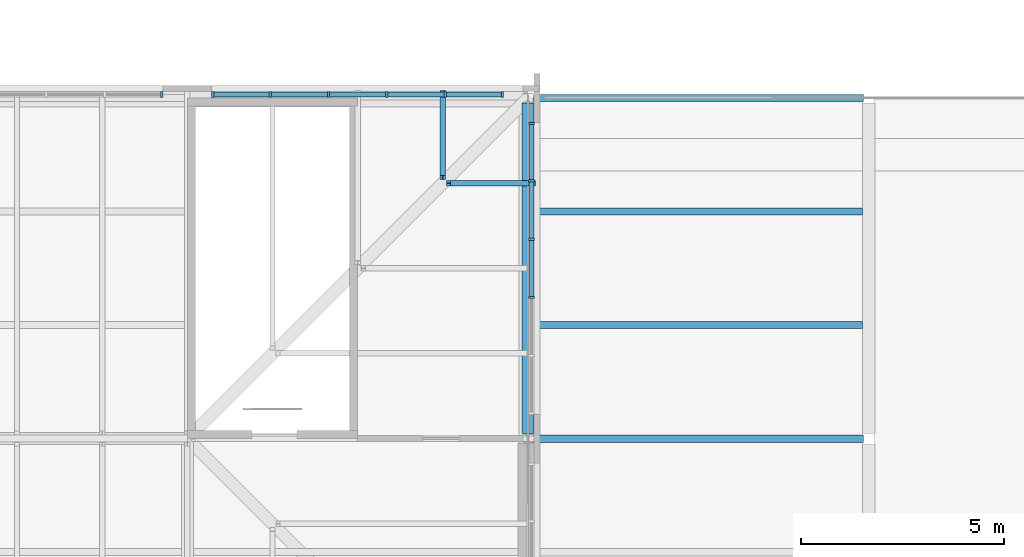
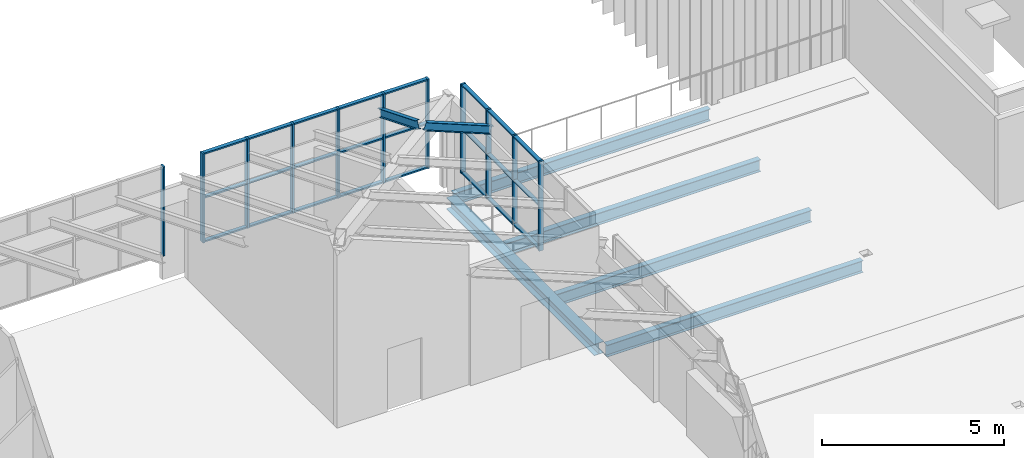
# One storey, part 12 of 126: 37 members, 5 beams, 3 elements without a shape of their own.
"""IFC4 building model written with IfcOpenShell, lengths in metres."""

from ifc_helpers import new_model, si_unit, direction, frame, origin, origin_2d, place, context, subcontext, project, spatial, rectangle, i_section, extrude, material, material_profile, profile_set, type_object, element, aggregate, save


model = new_model("IFC4")

# Units and contexts
model_context = context("Model", 3, precision=1e-05, world=origin(), true_north=direction((0.0, 1.0)))
body_context = subcontext(model_context, "Body", "Model", "MODEL_VIEW")
ifc_project = project(units=[si_unit("LENGTHUNIT", "METRE"), si_unit("AREAUNIT", "SQUARE_METRE"), si_unit("VOLUMEUNIT", "CUBIC_METRE"), si_unit("PLANEANGLEUNIT", "RADIAN"), si_unit("MASSUNIT", "GRAM", prefix="KILO")], contexts=[model_context])

# Site, building, storey
site_placement = place(None, origin())
site = spatial("IfcSite", under=ifc_project, at=site_placement, CompositionType="ELEMENT")
building_placement = place(site_placement, origin())
building = spatial("IfcBuilding", under=site, at=building_placement, Name="Sava Quay Ferry Terminal", CompositionType="ELEMENT")
storey_placement = place(building_placement, frame((0.0, 0.0, 15.0)))
storey = spatial("IfcBuildingStorey", under=building, at=storey_placement, Name="L03", CompositionType="ELEMENT", Elevation=15.0)

# Beams
ifc_material_1 = material(Name="Steel S355", Category="steel")
ifc_material_profile_1 = material_profile(ifc_material_1, i_section(OverallWidth=0.179931640625, OverallDepth=0.39990234375, WebThickness=0.008544921875, FlangeThickness=0.013427734375, at=origin_2d()), Name="IPE 400")
ifc_profile_set_1 = profile_set([ifc_material_profile_1], Name="Steel S355")
beam_type_1 = type_object("IfcBeamType", Name="Beam IPE 400", PredefinedType="BEAM", material=ifc_profile_set_1)
for number, where, z_axis, x_axis, name in (
    (1, (25.330078125, 42.0, -0.35009765625), (1.0, 0.0, 0.0), (0.0, 1.0, 0.0), "Beam L03"),
    (2, (25.330078125, 50.39990234375, -0.35009765625), (1.0, 0.0, 0.0), (0.0, 1.0, 0.0), "Beam L03"),
):
    element("IfcBeam", number, at=place(storey_placement, frame(where, z_axis=z_axis, x_axis=x_axis)), inside=storey, type_object=beam_type_1, Name=name, PredefinedType="BEAM", context=body_context, shape_type="SweptSolid", body=[
        extrude(i_section(OverallWidth=0.179931640625, OverallDepth=0.39990234375, WebThickness=0.008544921875, FlangeThickness=0.013427734375, at=origin_2d()), origin(), (0.0, 0.0, 1.0), 8.139892578125),
    ])
for number, where, z_axis, x_axis, name in (
    (3, (25.35009765625, 44.800048828125, -0.35009765625), (1.0, 0.0, 0.0), (0.0, 1.0, 0.0), "Secondary beam L03"),
    (4, (25.35009765625, 47.60009765625, -0.35009765625), (1.0, 0.0, 0.0), (0.0, 1.0, 0.0), "Secondary beam L03"),
):
    element("IfcBeam", number, at=place(storey_placement, frame(where, z_axis=z_axis, x_axis=x_axis)), inside=storey, type_object=beam_type_1, Name=name, PredefinedType="BEAM", context=body_context, shape_type="SweptSolid", body=[
        extrude(i_section(OverallWidth=0.179931640625, OverallDepth=0.39990234375, WebThickness=0.008544921875, FlangeThickness=0.013427734375, at=origin_2d()), origin(), (0.0, 0.0, 1.0), 8.099853515625),
    ])
ifc_material_2 = material(Name="Steel S355", Category="steel")
ifc_material_profile_2 = material_profile(ifc_material_2, i_section(OverallWidth=0.300048828125, OverallDepth=0.389892578125, WebThickness=0.010986328125, FlangeThickness=0.01904296875, at=origin_2d()), Name="HE 400 A")
ifc_profile_set_2 = profile_set([ifc_material_profile_2], Name="Steel S355")
beam_type_2 = type_object("IfcBeamType", Name="Girder HE 400 A", PredefinedType="BEAM", material=ifc_profile_set_2)
beam_placement = place(storey_placement, frame((25.199951171875, 42.1298828125, -0.344970703125), z_axis=(0.0, 1.0, 0.0), x_axis=(-1.0, 0.0, 0.0)))
element("IfcBeam", 5, at=beam_placement, inside=storey, type_object=beam_type_2, Name="Girder L03", PredefinedType="BEAM", context=body_context, shape_type="SweptSolid", body=[
    extrude(i_section(OverallWidth=0.300048828125, OverallDepth=0.389892578125, WebThickness=0.010986328125, FlangeThickness=0.01904296875, at=origin_2d()), origin(), (0.0, 0.0, 1.0), 8.14013671875),
])

# Curtain wall, members
ifc_material_3 = material(Name="Aluminium and glass curtain wall, double low-e glazed", Category="aluminium")
curtain_wall_type = type_object("IfcCurtainWallType", Name="Curtain wall CW-F flank", PredefinedType="NOTDEFINED", material=ifc_material_3)
curtain_wall_1_placement = place(storey_placement, origin())
curtain_wall_1 = element("IfcCurtainWall", 6, at=curtain_wall_1_placement, inside=storey, type_object=curtain_wall_type, Name="Curtain wall W-PAV-E L03 bay 2", PredefinedType="NOTDEFINED")
ifc_material_4 = material(Name="Aluminium EN AW-6063 T6", Category="aluminium")
ifc_material_profile_3 = material_profile(ifc_material_4, rectangle(XDim=0.14990234375, YDim=0.06005859375, at=origin_2d()), Name="Mullion 60x150 aluminium")
ifc_profile_set_3 = profile_set([ifc_material_profile_3], Name="Aluminium EN AW-6063 T6")
member_type_1 = type_object("IfcMemberType", Name="Mullion 60x150 aluminium", PredefinedType="MULLION", material=ifc_profile_set_3)
member_1_placement = place(storey_placement, frame((25.284912109375, 45.47998046875, 0.89990234375), z_axis=(0.0, 0.0, 1.0), x_axis=(-1.0, 0.0, 0.0)))
member_1 = element("IfcMember", 7, at=member_1_placement, type_object=member_type_1, Name="CW122 mullion 3", PredefinedType="MULLION", context=body_context, shape_type="SweptSolid", body=[
    extrude(rectangle(XDim=0.14990234375, YDim=0.06005859375, at=origin_2d()), origin(), (0.0, 0.0, 1.0), 3.0),
])
member_2_placement = place(storey_placement, frame((25.284912109375, 46.919921875, 0.89990234375), z_axis=(0.0, 0.0, 1.0), x_axis=(-1.0, 0.0, 0.0)))
member_2 = element("IfcMember", 8, at=member_2_placement, type_object=member_type_1, Name="CW122 mullion 4", PredefinedType="MULLION", context=body_context, shape_type="SweptSolid", body=[
    extrude(rectangle(XDim=0.14990234375, YDim=0.06005859375, at=origin_2d()), origin(), (0.0, 0.0, 1.0), 3.0),
])
member_3_placement = place(storey_placement, frame((25.284912109375, 48.360107421875, 0.89990234375), z_axis=(0.0, 0.0, 1.0), x_axis=(-1.0, 0.0, 0.0)))
member_3 = element("IfcMember", 9, at=member_3_placement, type_object=member_type_1, Name="CW122 mullion 5", PredefinedType="MULLION", context=body_context, shape_type="SweptSolid", body=[
    extrude(rectangle(XDim=0.14990234375, YDim=0.06005859375, at=origin_2d()), origin(), (0.0, 0.0, 1.0), 3.0),
])
member_4_placement = place(storey_placement, frame((25.284912109375, 49.77001953125, 0.89990234375), z_axis=(0.0, 0.0, 1.0), x_axis=(-1.0, 0.0, 0.0)))
member_4 = element("IfcMember", 10, at=member_4_placement, type_object=member_type_1, Name="CW122 mullion 6", PredefinedType="MULLION", context=body_context, shape_type="SweptSolid", body=[
    extrude(rectangle(XDim=0.14990234375, YDim=0.06005859375, at=origin_2d()), origin(), (0.0, 0.0, 1.0), 3.0),
])

# Curtain wall, member
curtain_wall_2_placement = place(storey_placement, origin())
curtain_wall_2 = element("IfcCurtainWall", 11, at=curtain_wall_2_placement, inside=storey, type_object=curtain_wall_type, Name="Curtain wall W-PAV-N L03 bay 2", PredefinedType="NOTDEFINED")
member_5_placement = place(storey_placement, frame((16.169921875, 50.485107421875, 0.89990234375), z_axis=(0.0, 0.0, 1.0), x_axis=(0.0, 1.0, 0.0)))
member_5 = element("IfcMember", 12, at=member_5_placement, type_object=member_type_1, Name="CW124 mullion 6", PredefinedType="MULLION", context=body_context, shape_type="SweptSolid", body=[
    extrude(rectangle(XDim=0.14990234375, YDim=0.06005859375, at=origin_2d()), origin(), (0.0, 0.0, 1.0), 3.0),
])
aggregate(curtain_wall_2, [member_5])

# Curtain wall, members
curtain_wall_3_placement = place(storey_placement, origin())
curtain_wall_3 = element("IfcCurtainWall", 13, at=curtain_wall_3_placement, inside=storey, type_object=curtain_wall_type, Name="Curtain wall W-PAV-N L03 bay 3", PredefinedType="NOTDEFINED")
member_6_placement = place(storey_placement, frame((17.429931640625, 50.485107421875, 0.89990234375), z_axis=(0.0, 0.0, 1.0), x_axis=(0.0, 1.0, 0.0)))
member_6 = element("IfcMember", 14, at=member_6_placement, type_object=member_type_1, Name="CW125 mullion 1", PredefinedType="MULLION", context=body_context, shape_type="SweptSolid", body=[
    extrude(rectangle(XDim=0.14990234375, YDim=0.06005859375, at=origin_2d()), origin(), (0.0, 0.0, 1.0), 3.0),
])
member_7_placement = place(storey_placement, frame((18.840087890625, 50.485107421875, 0.89990234375), z_axis=(0.0, 0.0, 1.0), x_axis=(0.0, 1.0, 0.0)))
member_7 = element("IfcMember", 15, at=member_7_placement, type_object=member_type_1, Name="CW125 mullion 2", PredefinedType="MULLION", context=body_context, shape_type="SweptSolid", body=[
    extrude(rectangle(XDim=0.14990234375, YDim=0.06005859375, at=origin_2d()), origin(), (0.0, 0.0, 1.0), 3.0),
])
member_8_placement = place(storey_placement, frame((20.280029296875, 50.485107421875, 0.89990234375), z_axis=(0.0, 0.0, 1.0), x_axis=(0.0, 1.0, 0.0)))
member_8 = element("IfcMember", 16, at=member_8_placement, type_object=member_type_1, Name="CW125 mullion 3", PredefinedType="MULLION", context=body_context, shape_type="SweptSolid", body=[
    extrude(rectangle(XDim=0.14990234375, YDim=0.06005859375, at=origin_2d()), origin(), (0.0, 0.0, 1.0), 3.0),
])
member_9_placement = place(storey_placement, frame((21.719970703125, 50.485107421875, 0.89990234375), z_axis=(0.0, 0.0, 1.0), x_axis=(0.0, 1.0, 0.0)))
member_9 = element("IfcMember", 17, at=member_9_placement, type_object=member_type_1, Name="CW125 mullion 4", PredefinedType="MULLION", context=body_context, shape_type="SweptSolid", body=[
    extrude(rectangle(XDim=0.14990234375, YDim=0.06005859375, at=origin_2d()), origin(), (0.0, 0.0, 1.0), 3.0),
])
member_10_placement = place(storey_placement, frame((23.159912109375, 50.485107421875, 0.89990234375), z_axis=(0.0, 0.0, 1.0), x_axis=(0.0, 1.0, 0.0)))
member_10 = element("IfcMember", 18, at=member_10_placement, type_object=member_type_1, Name="CW125 mullion 5", PredefinedType="MULLION", context=body_context, shape_type="SweptSolid", body=[
    extrude(rectangle(XDim=0.14990234375, YDim=0.06005859375, at=origin_2d()), origin(), (0.0, 0.0, 1.0), 3.0),
])
member_11_placement = place(storey_placement, frame((24.570068359375, 50.485107421875, 0.89990234375), z_axis=(0.0, 0.0, 1.0), x_axis=(0.0, 1.0, 0.0)))
member_11 = element("IfcMember", 19, at=member_11_placement, type_object=member_type_1, Name="CW125 mullion 6", PredefinedType="MULLION", context=body_context, shape_type="SweptSolid", body=[
    extrude(rectangle(XDim=0.14990234375, YDim=0.06005859375, at=origin_2d()), origin(), (0.0, 0.0, 1.0), 3.0),
])

# Members
ifc_material_5 = material(Name="Steel S355", Category="steel")
ifc_material_profile_4 = material_profile(ifc_material_5, i_section(OverallWidth=0.135009765625, OverallDepth=0.27001953125, WebThickness=0.006591796875, FlangeThickness=0.01025390625, at=origin_2d()), Name="IPE 270")
ifc_profile_set_4 = profile_set([ifc_material_profile_4], Name="Steel S355")
member_type_2 = type_object("IfcMemberType", Name="Roof rafter IPE 270", PredefinedType="RAFTER", material=ifc_profile_set_4)
member_12_placement = place(storey_placement, frame((25.336181640625, 48.300048828125, 3.237060546875), z_axis=(-0.927200086712, 0.0, 0.374566414941), x_axis=(0.0, -1.0, 0.0)))
element("IfcMember", 20, at=member_12_placement, inside=storey, type_object=member_type_2, Name="West pavilion rafter RA18", PredefinedType="RAFTER", context=body_context, shape_type="SweptSolid", body=[
    extrude(i_section(OverallWidth=0.135009765625, OverallDepth=0.27001953125, WebThickness=0.006591796875, FlangeThickness=0.01025390625, at=origin_2d()), origin(), (0.0, 0.0, 1.0), 2.264892578125),
])
member_13_placement = place(storey_placement, frame((23.10009765625, 50.5361328125, 3.237060546875), z_axis=(0.0, -0.927184961662, 0.374603853247), x_axis=(1.0, 0.0, 0.0)))
element("IfcMember", 21, at=member_13_placement, inside=storey, type_object=member_type_2, Name="West pavilion rafter RA19", PredefinedType="RAFTER", context=body_context, shape_type="SweptSolid", body=[
    extrude(i_section(OverallWidth=0.135009765625, OverallDepth=0.27001953125, WebThickness=0.006591796875, FlangeThickness=0.01025390625, at=origin_2d()), origin(), (0.0, 0.0, 1.0), 2.2646484375),
])

# Member
ifc_material_6 = material(Name="Aluminium EN AW-6063 T6", Category="aluminium")
ifc_material_profile_5 = material_profile(ifc_material_6, rectangle(XDim=0.1201171875, YDim=0.050048828125, at=origin_2d()), Name="Transom 50x120 aluminium")
ifc_profile_set_5 = profile_set([ifc_material_profile_5], Name="Aluminium EN AW-6063 T6")
member_type_3 = type_object("IfcMemberType", Name="Transom 50x120 aluminium", PredefinedType="USERDEFINED", material=ifc_profile_set_5)
member_14_placement = place(storey_placement, frame((25.284912109375, 45.510009765625, 0.925048828125), z_axis=(0.0, 1.0, 0.0), x_axis=(-1.0, 0.0, 0.0)))
member_14 = element("IfcMember", 22, at=member_14_placement, type_object=member_type_3, Name="CW122 transom 3.1", ObjectType="TRANSOM", PredefinedType="USERDEFINED", context=body_context, shape_type="SweptSolid", body=[
    extrude(rectangle(XDim=0.1201171875, YDim=0.050048828125, at=origin_2d()), origin(), (0.0, 0.0, 1.0), 1.3798828125),
])

member_15_placement = place(storey_placement, frame((25.284912109375, 45.510009765625, 2.39990234375), z_axis=(0.0, 1.0, 0.0), x_axis=(-1.0, 0.0, 0.0)))
member_15 = element("IfcMember", 23, at=member_15_placement, type_object=member_type_3, Name="CW122 transom 3.2", ObjectType="TRANSOM", PredefinedType="USERDEFINED", context=body_context, shape_type="SweptSolid", body=[
    extrude(rectangle(XDim=0.1201171875, YDim=0.050048828125, at=origin_2d()), origin(), (0.0, 0.0, 1.0), 1.3798828125),
])

member_16_placement = place(storey_placement, frame((25.284912109375, 45.510009765625, 3.875), z_axis=(0.0, 1.0, 0.0), x_axis=(-1.0, 0.0, 0.0)))
member_16 = element("IfcMember", 24, at=member_16_placement, type_object=member_type_3, Name="CW122 transom 3.3", ObjectType="TRANSOM", PredefinedType="USERDEFINED", context=body_context, shape_type="SweptSolid", body=[
    extrude(rectangle(XDim=0.1201171875, YDim=0.050048828125, at=origin_2d()), origin(), (0.0, 0.0, 1.0), 1.3798828125),
])

member_17_placement = place(storey_placement, frame((25.284912109375, 46.949951171875, 0.925048828125), z_axis=(0.0, 1.0, 0.0), x_axis=(-1.0, 0.0, 0.0)))
member_17 = element("IfcMember", 25, at=member_17_placement, type_object=member_type_3, Name="CW122 transom 4.1", ObjectType="TRANSOM", PredefinedType="USERDEFINED", context=body_context, shape_type="SweptSolid", body=[
    extrude(rectangle(XDim=0.1201171875, YDim=0.050048828125, at=origin_2d()), origin(), (0.0, 0.0, 1.0), 1.380126953125),
])

member_18_placement = place(storey_placement, frame((25.284912109375, 46.949951171875, 2.39990234375), z_axis=(0.0, 1.0, 0.0), x_axis=(-1.0, 0.0, 0.0)))
member_18 = element("IfcMember", 26, at=member_18_placement, type_object=member_type_3, Name="CW122 transom 4.2", ObjectType="TRANSOM", PredefinedType="USERDEFINED", context=body_context, shape_type="SweptSolid", body=[
    extrude(rectangle(XDim=0.1201171875, YDim=0.050048828125, at=origin_2d()), origin(), (0.0, 0.0, 1.0), 1.380126953125),
])

member_19_placement = place(storey_placement, frame((25.284912109375, 46.949951171875, 3.875), z_axis=(0.0, 1.0, 0.0), x_axis=(-1.0, 0.0, 0.0)))
member_19 = element("IfcMember", 27, at=member_19_placement, type_object=member_type_3, Name="CW122 transom 4.3", ObjectType="TRANSOM", PredefinedType="USERDEFINED", context=body_context, shape_type="SweptSolid", body=[
    extrude(rectangle(XDim=0.1201171875, YDim=0.050048828125, at=origin_2d()), origin(), (0.0, 0.0, 1.0), 1.380126953125),
])

member_20_placement = place(storey_placement, frame((25.284912109375, 48.389892578125, 0.925048828125), z_axis=(0.0, 1.0, 0.0), x_axis=(-1.0, 0.0, 0.0)))
member_20 = element("IfcMember", 28, at=member_20_placement, type_object=member_type_3, Name="CW122 transom 5.1", ObjectType="TRANSOM", PredefinedType="USERDEFINED", context=body_context, shape_type="SweptSolid", body=[
    extrude(rectangle(XDim=0.1201171875, YDim=0.050048828125, at=origin_2d()), origin(), (0.0, 0.0, 1.0), 1.35009765625),
])

member_21_placement = place(storey_placement, frame((25.284912109375, 48.389892578125, 2.39990234375), z_axis=(0.0, 1.0, 0.0), x_axis=(-1.0, 0.0, 0.0)))
member_21 = element("IfcMember", 29, at=member_21_placement, type_object=member_type_3, Name="CW122 transom 5.2", ObjectType="TRANSOM", PredefinedType="USERDEFINED", context=body_context, shape_type="SweptSolid", body=[
    extrude(rectangle(XDim=0.1201171875, YDim=0.050048828125, at=origin_2d()), origin(), (0.0, 0.0, 1.0), 1.35009765625),
])

member_22_placement = place(storey_placement, frame((25.284912109375, 48.389892578125, 3.875), z_axis=(0.0, 1.0, 0.0), x_axis=(-1.0, 0.0, 0.0)))
member_22 = element("IfcMember", 30, at=member_22_placement, type_object=member_type_3, Name="CW122 transom 5.3", ObjectType="TRANSOM", PredefinedType="USERDEFINED", context=body_context, shape_type="SweptSolid", body=[
    extrude(rectangle(XDim=0.1201171875, YDim=0.050048828125, at=origin_2d()), origin(), (0.0, 0.0, 1.0), 1.35009765625),
])

aggregate(curtain_wall_1, [member_1, member_2, member_3, member_4, member_14, member_15, member_16, member_17, member_18, member_19, member_20, member_21, member_22])

member_23_placement = place(storey_placement, frame((17.4599609375, 50.485107421875, 0.925048828125), z_axis=(1.0, 0.0, 0.0), x_axis=(0.0, 1.0, 0.0)))
member_23 = element("IfcMember", 31, at=member_23_placement, type_object=member_type_3, Name="CW125 transom 1.1", ObjectType="TRANSOM", PredefinedType="USERDEFINED", context=body_context, shape_type="SweptSolid", body=[
    extrude(rectangle(XDim=0.1201171875, YDim=0.050048828125, at=origin_2d()), origin(), (0.0, 0.0, 1.0), 1.35009765625),
])

member_24_placement = place(storey_placement, frame((17.4599609375, 50.485107421875, 2.39990234375), z_axis=(1.0, 0.0, 0.0), x_axis=(0.0, 1.0, 0.0)))
member_24 = element("IfcMember", 32, at=member_24_placement, type_object=member_type_3, Name="CW125 transom 1.2", ObjectType="TRANSOM", PredefinedType="USERDEFINED", context=body_context, shape_type="SweptSolid", body=[
    extrude(rectangle(XDim=0.1201171875, YDim=0.050048828125, at=origin_2d()), origin(), (0.0, 0.0, 1.0), 1.35009765625),
])

member_25_placement = place(storey_placement, frame((17.4599609375, 50.485107421875, 3.875), z_axis=(1.0, 0.0, 0.0), x_axis=(0.0, 1.0, 0.0)))
member_25 = element("IfcMember", 33, at=member_25_placement, type_object=member_type_3, Name="CW125 transom 1.3", ObjectType="TRANSOM", PredefinedType="USERDEFINED", context=body_context, shape_type="SweptSolid", body=[
    extrude(rectangle(XDim=0.1201171875, YDim=0.050048828125, at=origin_2d()), origin(), (0.0, 0.0, 1.0), 1.35009765625),
])

member_26_placement = place(storey_placement, frame((18.8701171875, 50.485107421875, 0.925048828125), z_axis=(1.0, 0.0, 0.0), x_axis=(0.0, 1.0, 0.0)))
member_26 = element("IfcMember", 34, at=member_26_placement, type_object=member_type_3, Name="CW125 transom 2.1", ObjectType="TRANSOM", PredefinedType="USERDEFINED", context=body_context, shape_type="SweptSolid", body=[
    extrude(rectangle(XDim=0.1201171875, YDim=0.050048828125, at=origin_2d()), origin(), (0.0, 0.0, 1.0), 1.3798828125),
])

member_27_placement = place(storey_placement, frame((18.8701171875, 50.485107421875, 2.39990234375), z_axis=(1.0, 0.0, 0.0), x_axis=(0.0, 1.0, 0.0)))
member_27 = element("IfcMember", 35, at=member_27_placement, type_object=member_type_3, Name="CW125 transom 2.2", ObjectType="TRANSOM", PredefinedType="USERDEFINED", context=body_context, shape_type="SweptSolid", body=[
    extrude(rectangle(XDim=0.1201171875, YDim=0.050048828125, at=origin_2d()), origin(), (0.0, 0.0, 1.0), 1.3798828125),
])

member_28_placement = place(storey_placement, frame((18.8701171875, 50.485107421875, 3.875), z_axis=(1.0, 0.0, 0.0), x_axis=(0.0, 1.0, 0.0)))
member_28 = element("IfcMember", 36, at=member_28_placement, type_object=member_type_3, Name="CW125 transom 2.3", ObjectType="TRANSOM", PredefinedType="USERDEFINED", context=body_context, shape_type="SweptSolid", body=[
    extrude(rectangle(XDim=0.1201171875, YDim=0.050048828125, at=origin_2d()), origin(), (0.0, 0.0, 1.0), 1.3798828125),
])

member_29_placement = place(storey_placement, frame((20.31005859375, 50.485107421875, 0.925048828125), z_axis=(1.0, 0.0, 0.0), x_axis=(0.0, 1.0, 0.0)))
member_29 = element("IfcMember", 37, at=member_29_placement, type_object=member_type_3, Name="CW125 transom 3.1", ObjectType="TRANSOM", PredefinedType="USERDEFINED", context=body_context, shape_type="SweptSolid", body=[
    extrude(rectangle(XDim=0.1201171875, YDim=0.050048828125, at=origin_2d()), origin(), (0.0, 0.0, 1.0), 1.3798828125),
])

member_30_placement = place(storey_placement, frame((20.31005859375, 50.485107421875, 2.39990234375), z_axis=(1.0, 0.0, 0.0), x_axis=(0.0, 1.0, 0.0)))
member_30 = element("IfcMember", 38, at=member_30_placement, type_object=member_type_3, Name="CW125 transom 3.2", ObjectType="TRANSOM", PredefinedType="USERDEFINED", context=body_context, shape_type="SweptSolid", body=[
    extrude(rectangle(XDim=0.1201171875, YDim=0.050048828125, at=origin_2d()), origin(), (0.0, 0.0, 1.0), 1.3798828125),
])

member_31_placement = place(storey_placement, frame((20.31005859375, 50.485107421875, 3.875), z_axis=(1.0, 0.0, 0.0), x_axis=(0.0, 1.0, 0.0)))
member_31 = element("IfcMember", 39, at=member_31_placement, type_object=member_type_3, Name="CW125 transom 3.3", ObjectType="TRANSOM", PredefinedType="USERDEFINED", context=body_context, shape_type="SweptSolid", body=[
    extrude(rectangle(XDim=0.1201171875, YDim=0.050048828125, at=origin_2d()), origin(), (0.0, 0.0, 1.0), 1.3798828125),
])

member_32_placement = place(storey_placement, frame((21.75, 50.485107421875, 0.925048828125), z_axis=(1.0, 0.0, 0.0), x_axis=(0.0, 1.0, 0.0)))
member_32 = element("IfcMember", 40, at=member_32_placement, type_object=member_type_3, Name="CW125 transom 4.1", ObjectType="TRANSOM", PredefinedType="USERDEFINED", context=body_context, shape_type="SweptSolid", body=[
    extrude(rectangle(XDim=0.1201171875, YDim=0.050048828125, at=origin_2d()), origin(), (0.0, 0.0, 1.0), 1.3798828125),
])

member_33_placement = place(storey_placement, frame((21.75, 50.485107421875, 2.39990234375), z_axis=(1.0, 0.0, 0.0), x_axis=(0.0, 1.0, 0.0)))
member_33 = element("IfcMember", 41, at=member_33_placement, type_object=member_type_3, Name="CW125 transom 4.2", ObjectType="TRANSOM", PredefinedType="USERDEFINED", context=body_context, shape_type="SweptSolid", body=[
    extrude(rectangle(XDim=0.1201171875, YDim=0.050048828125, at=origin_2d()), origin(), (0.0, 0.0, 1.0), 1.3798828125),
])

member_34_placement = place(storey_placement, frame((21.75, 50.485107421875, 3.875), z_axis=(1.0, 0.0, 0.0), x_axis=(0.0, 1.0, 0.0)))
member_34 = element("IfcMember", 42, at=member_34_placement, type_object=member_type_3, Name="CW125 transom 4.3", ObjectType="TRANSOM", PredefinedType="USERDEFINED", context=body_context, shape_type="SweptSolid", body=[
    extrude(rectangle(XDim=0.1201171875, YDim=0.050048828125, at=origin_2d()), origin(), (0.0, 0.0, 1.0), 1.3798828125),
])

member_35_placement = place(storey_placement, frame((23.18994140625, 50.485107421875, 0.925048828125), z_axis=(1.0, 0.0, 0.0), x_axis=(0.0, 1.0, 0.0)))
member_35 = element("IfcMember", 43, at=member_35_placement, type_object=member_type_3, Name="CW125 transom 5.1", ObjectType="TRANSOM", PredefinedType="USERDEFINED", context=body_context, shape_type="SweptSolid", body=[
    extrude(rectangle(XDim=0.1201171875, YDim=0.050048828125, at=origin_2d()), origin(), (0.0, 0.0, 1.0), 1.35009765625),
])

member_36_placement = place(storey_placement, frame((23.18994140625, 50.485107421875, 2.39990234375), z_axis=(1.0, 0.0, 0.0), x_axis=(0.0, 1.0, 0.0)))
member_36 = element("IfcMember", 44, at=member_36_placement, type_object=member_type_3, Name="CW125 transom 5.2", ObjectType="TRANSOM", PredefinedType="USERDEFINED", context=body_context, shape_type="SweptSolid", body=[
    extrude(rectangle(XDim=0.1201171875, YDim=0.050048828125, at=origin_2d()), origin(), (0.0, 0.0, 1.0), 1.35009765625),
])

member_37_placement = place(storey_placement, frame((23.18994140625, 50.485107421875, 3.875), z_axis=(1.0, 0.0, 0.0), x_axis=(0.0, 1.0, 0.0)))
member_37 = element("IfcMember", 45, at=member_37_placement, type_object=member_type_3, Name="CW125 transom 5.3", ObjectType="TRANSOM", PredefinedType="USERDEFINED", context=body_context, shape_type="SweptSolid", body=[
    extrude(rectangle(XDim=0.1201171875, YDim=0.050048828125, at=origin_2d()), origin(), (0.0, 0.0, 1.0), 1.35009765625),
])

aggregate(curtain_wall_3, [member_6, member_7, member_8, member_9, member_10, member_11, member_23, member_24, member_25, member_26, member_27, member_28, member_29, member_30, member_31, member_32, member_33, member_34, member_35, member_36, member_37])

save(model, "model.ifc")
